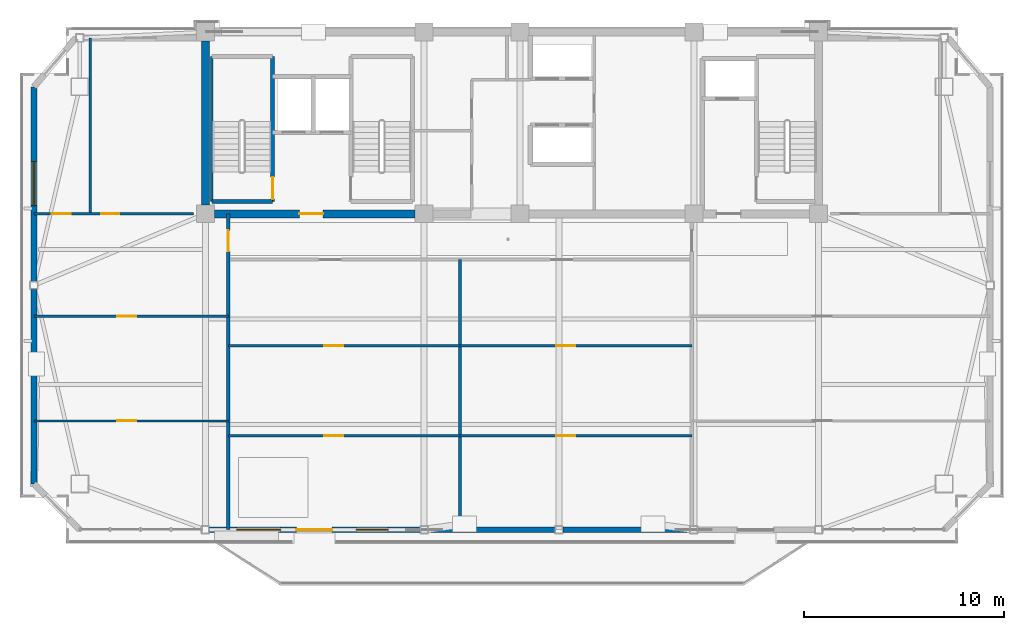
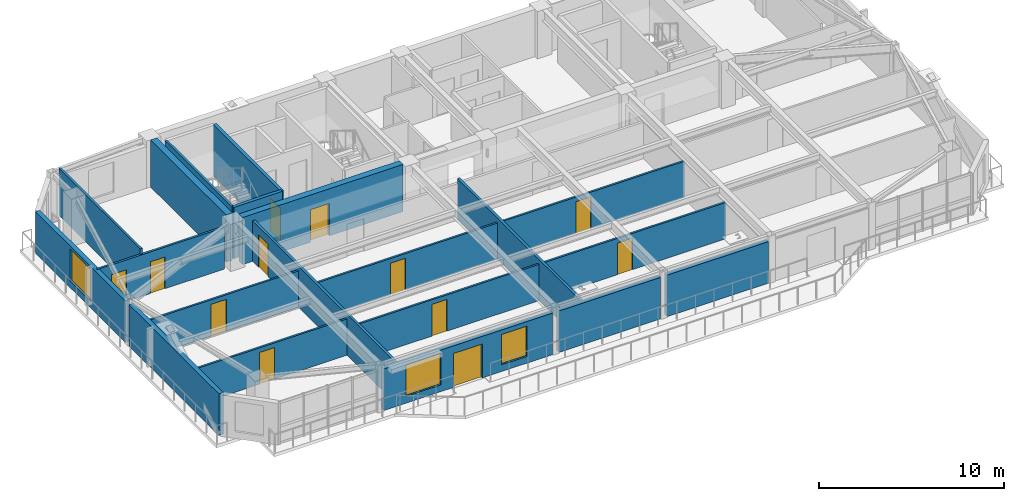
# One storey, part 6 of 13: 20 walls, 12 doors, 3 windows, 15 openings.
"""IFC4 building model written with IfcOpenShell, lengths in metres."""

from ifc_helpers import new_model, si_unit, direction, frame, frame_2d, origin, place, context, subcontext, project, spatial, rectangle, extrude, source, transform, mapped, material, layer, layer_set, type_object, element, fill, save


model = new_model("IFC4")

# Units and contexts
model_context = context("Model", 3, precision=1e-05, world=origin(), true_north=direction((0.0, 1.0)))
body_context = subcontext(model_context, "Body", "Model", "MODEL_VIEW")
ifc_project = project(units=[si_unit("LENGTHUNIT", "METRE"), si_unit("AREAUNIT", "SQUARE_METRE"), si_unit("VOLUMEUNIT", "CUBIC_METRE"), si_unit("PLANEANGLEUNIT", "RADIAN"), si_unit("MASSUNIT", "GRAM", prefix="KILO")], contexts=[model_context])

# Site, building, storey
site_placement = place(None, origin())
site = spatial("IfcSite", under=ifc_project, at=site_placement, CompositionType="ELEMENT")
building_placement = place(site_placement, origin())
building = spatial("IfcBuilding", under=site, at=building_placement, Name="Giltprow Tower", CompositionType="ELEMENT")
storey_placement = place(building_placement, frame((0.0, 0.0, 324.39990234375)))
storey = spatial("IfcBuildingStorey", under=building, at=storey_placement, Name="L84", CompositionType="ELEMENT", Elevation=324.39990234375)

# Wall, openings, windows, door
ifc_material_1 = material(Name="Precast concrete C40", Category="concrete")
ifc_layer_1 = layer(ifc_material_1, 0.280029296875, Name="Precast concrete C40")
ifc_layer_set_1 = layer_set([ifc_layer_1], Name="Precast concrete C40")
wall_type_1 = type_object("IfcWallType", Name="EW-TOW-BRONZE-280", PredefinedType="SOLIDWALL", material=ifc_layer_set_1)
wall_1_placement = place(storey_placement, frame((20.050048828125, 21.635986328125, 0.0), z_axis=(0.0, 0.0, 1.0), x_axis=(1.0, 0.0, 0.0)))
wall_1 = element("IfcWall", 1, at=wall_1_placement, inside=storey, type_object=wall_type_1, Name="L84 South Expressed Frame Wall 2", PredefinedType="SOLIDWALL", context=body_context, shape_type="SweptSolid", body=[
    extrude(rectangle(XDim=10.550048828125, YDim=0.280029296875, at=frame_2d((5.27490234375, 0.0))), origin(), (0.0, 0.0, 1.0), 2.75),
])
opening_1_placement = place(wall_1_placement, frame((4.35009765625, 0.0, 0.0)))
opening_1 = element("IfcOpeningElement", 2, at=opening_1_placement, cuts=wall_1, Name="Opening ED25", PredefinedType="OPENING", context=body_context, shape_type="SweptSolid", body=[
    extrude(rectangle(XDim=1.800048828125, YDim=2.25, at=frame_2d((0.89990234375, 1.125))), frame((0.0, 0.14990234375, 0.0), z_axis=(0.0, -1.0, 0.0), x_axis=(1.0, 0.0, 0.0)), (0.0, 0.0, 1.0), 0.300048828125),
])
opening_2_placement = place(wall_1_placement, frame((1.3701171875, 0.0, 0.449951171875)))
opening_2 = element("IfcOpeningElement", 3, at=opening_2_placement, cuts=wall_1, Name="Opening WN27", PredefinedType="OPENING", context=body_context, shape_type="SweptSolid", body=[
    extrude(rectangle(XDim=2.199951171875, YDim=2.10009765625, at=frame_2d((1.10009765625, 1.050048828125))), frame((0.0, 0.14990234375, 0.0), z_axis=(0.0, -1.0, 0.0), x_axis=(1.0, 0.0, 0.0)), (0.0, 0.0, 1.0), 0.300048828125),
])
opening_3_placement = place(wall_1_placement, frame((7.35009765625, 0.0, 0.449951171875)))
opening_3 = element("IfcOpeningElement", 4, at=opening_3_placement, cuts=wall_1, Name="Opening WN17", PredefinedType="OPENING", context=body_context, shape_type="SweptSolid", body=[
    extrude(rectangle(XDim=1.60009765625, YDim=2.0, at=frame_2d((0.800048828125, 1.0))), frame((0.0, 0.14990234375, 0.0), z_axis=(0.0, -1.0, 0.0), x_axis=(1.0, 0.0, 0.0)), (0.0, 0.0, 1.0), 0.300048828125),
])
ifc_material_2 = material(Name="Insulated glass", Category="glass")
window_type_1 = type_object("IfcWindowType", Name="WN-COR-1600x2000", PartitioningType="SINGLE_PANEL", PredefinedType="WINDOW", material=ifc_material_2)
shared_shape_1 = source(origin(), body_context, "Body", "SweptSolid", [
    extrude(rectangle(XDim=1.60009765625, YDim=2.0, at=frame_2d((0.800048828125, 1.0))), frame((0.0, 0.030029296875, 0.0), z_axis=(0.0, -1.0, 0.0), x_axis=(1.0, 0.0, 0.0)), (0.0, 0.0, 1.0), 0.06005859375),
])
window_1_placement = place(opening_3_placement, origin())
window_1 = element("IfcWindow", 5, at=window_1_placement, inside=storey, type_object=window_type_1, Name="L84 South Window 2B", OverallHeight=2.0, OverallWidth=1.60009765625, PartitioningType="SINGLE_PANEL", PredefinedType="WINDOW", context=body_context, shape_type="MappedRepresentation", body=[
    mapped(shared_shape_1, transform((0.0, 0.0, 0.0), x_axis=(1.0, 0.0, 0.0), y_axis=(0.0, 1.0, 0.0), z_axis=(0.0, 0.0, 1.0), scale=1.0)),
])
fill(opening_3, window_1)
ifc_material_3 = material(Name="Anodized bronze and glass", Category="glass")
door_type_1 = type_object("IfcDoorType", Name="DR-BALC-SLIDE-1800", OperationType="SLIDING_TO_LEFT", PredefinedType="DOOR", material=ifc_material_3)
shared_shape_2 = source(origin(), body_context, "Body", "SweptSolid", [
    extrude(rectangle(XDim=1.800048828125, YDim=2.25, at=frame_2d((0.89990234375, 1.125))), frame((0.0, 0.02490234375, 0.0), z_axis=(0.0, -1.0, 0.0), x_axis=(1.0, 0.0, 0.0)), (0.0, 0.0, 1.0), 0.050048828125),
])
door_1_placement = place(opening_1_placement, origin())
door_1 = element("IfcDoor", 6, at=door_1_placement, inside=storey, type_object=door_type_1, Name="L84 Waterfront Balcony Sliding Door 1", OperationType="SLIDING_TO_LEFT", OverallHeight=2.25, OverallWidth=1.800048828125, PredefinedType="DOOR", context=body_context, shape_type="MappedRepresentation", body=[
    mapped(shared_shape_2, transform((0.0, 0.0, 0.0), x_axis=(1.0, 0.0, 0.0), y_axis=(0.0, 1.0, 0.0), z_axis=(0.0, 0.0, 1.0), scale=1.0)),
])
fill(opening_1, door_1)
window_type_2 = type_object("IfcWindowType", Name="WN-RES-2200x2100", PartitioningType="TRIPLE_PANEL_VERTICAL", PredefinedType="WINDOW", material=ifc_material_2)
shared_shape_3 = source(origin(), body_context, "Body", "SweptSolid", [
    extrude(rectangle(XDim=2.199951171875, YDim=2.10009765625, at=frame_2d((1.10009765625, 1.050048828125))), frame((0.0, 0.030029296875, 0.0), z_axis=(0.0, -1.0, 0.0), x_axis=(1.0, 0.0, 0.0)), (0.0, 0.0, 1.0), 0.06005859375),
])
window_2_placement = place(opening_2_placement, origin())
window_2 = element("IfcWindow", 7, at=window_2_placement, inside=storey, type_object=window_type_2, Name="L84 South Window 2A", OverallHeight=2.10009765625, OverallWidth=2.199951171875, PartitioningType="SINGLE_PANEL", PredefinedType="WINDOW", context=body_context, shape_type="MappedRepresentation", body=[
    mapped(shared_shape_3, transform((0.0, 0.0, 0.0), x_axis=(1.0, 0.0, 0.0), y_axis=(0.0, 1.0, 0.0), z_axis=(0.0, 0.0, 1.0), scale=1.0)),
])
fill(opening_2, window_2)

# Walls
for number, where, z_axis, x_axis, name in (
    (8, (31.0, 21.635986328125, 0.0), (0.0, 0.0, 1.0), (1.0, 0.0, 0.0), "L84 South Expressed Frame Wall 3"),
    (9, (37.75, 21.635986328125, 0.0), (0.0, 0.0, 1.0), (1.0, 0.0, 0.0), "L84 South Expressed Frame Wall 4"),
):
    element("IfcWall", number, at=place(storey_placement, frame(where, z_axis=z_axis, x_axis=x_axis)), inside=storey, type_object=wall_type_1, Name=name, PredefinedType="SOLIDWALL", context=body_context, shape_type="SweptSolid", body=[
        extrude(rectangle(XDim=6.35009765625, YDim=0.280029296875, at=frame_2d((3.175048828125, 0.0))), origin(), (0.0, 0.0, 1.0), 2.75),
    ])
wall_2_placement = place(storey_placement, frame((11.27001953125, 23.927978515625, 0.0), z_axis=(0.0, 0.0, 1.0), x_axis=(0.0, 1.0, 0.0)))
element("IfcWall", 10, at=wall_2_placement, inside=storey, type_object=wall_type_1, Name="L84 W Wing Masonry Wall 1", PredefinedType="SOLIDWALL", context=body_context, shape_type="SweptSolid", body=[
    extrude(rectangle(XDim=9.739990234375, YDim=0.280029296875, at=frame_2d((4.8701171875, 0.0))), origin(), (0.0, 0.0, 1.0), 2.75),
])

# Wall, opening, window
wall_3_placement = place(storey_placement, frame((11.27001953125, 34.068115234375, 0.0), z_axis=(0.0, 0.0, 1.0), x_axis=(0.0, 1.0, 0.0)))
wall_3 = element("IfcWall", 11, at=wall_3_placement, inside=storey, type_object=wall_type_1, Name="L84 W Wing Masonry Wall 2", PredefinedType="SOLIDWALL", context=body_context, shape_type="SweptSolid", body=[
    extrude(rectangle(XDim=9.739990234375, YDim=0.280029296875, at=frame_2d((4.8701171875, 0.0))), origin(), (0.0, 0.0, 1.0), 2.75),
])
opening_4_placement = place(wall_3_placement, frame((3.787109375, 0.0, 0.449951171875)))
opening_4 = element("IfcOpeningElement", 12, at=opening_4_placement, cuts=wall_3, Name="Opening WN27", PredefinedType="OPENING", context=body_context, shape_type="SweptSolid", body=[
    extrude(rectangle(XDim=2.199951171875, YDim=2.10009765625, at=frame_2d((1.10009765625, 1.050048828125))), frame((0.0, 0.14990234375, 0.0), z_axis=(0.0, -1.0, 0.0), x_axis=(1.0, 0.0, 0.0)), (0.0, 0.0, 1.0), 0.300048828125),
])
window_3_placement = place(opening_4_placement, origin())
window_3 = element("IfcWindow", 13, at=window_3_placement, inside=storey, type_object=window_type_2, Name="L84 W Wing Window 2-1", OverallHeight=2.10009765625, OverallWidth=2.199951171875, PartitioningType="SINGLE_PANEL", PredefinedType="WINDOW", context=body_context, shape_type="MappedRepresentation", body=[
    mapped(shared_shape_3, transform((0.0, 0.0, 0.0), x_axis=(1.0, 0.0, 0.0), y_axis=(0.0, 1.0, 0.0), z_axis=(0.0, 0.0, 1.0), scale=1.0)),
])
fill(opening_4, window_3)

# Wall, opening, door
ifc_material_4 = material(Name="Gypsum stud partition", Category="gypsum")
ifc_layer_2 = layer(ifc_material_4, 0.159912109375, Name="Gypsum stud partition")
ifc_layer_set_2 = layer_set([ifc_layer_2], Name="Gypsum stud partition")
wall_type_2 = type_object("IfcWallType", Name="IW-DEMISE-160", PredefinedType="PARTITIONING", material=ifc_layer_set_2)
wall_4_placement = place(storey_placement, frame((21.0, 21.635986328125, 0.0), z_axis=(0.0, 0.0, 1.0), x_axis=(0.0, 1.0, 0.0)))
wall_4 = element("IfcWall", 14, at=wall_4_placement, inside=storey, type_object=wall_type_2, Name="L84 Apartment Party Wall 1", PredefinedType="PARTITIONING", context=body_context, shape_type="SweptSolid", body=[
    extrude(rectangle(XDim=15.81396484375, YDim=0.159912109375, at=frame_2d((7.906982421875, 0.0))), origin(), (0.0, 0.0, 1.0), 2.705078125),
])
opening_5_placement = place(wall_4_placement, frame((13.93408203125, 0.0, 0.0)))
opening_5 = element("IfcOpeningElement", 15, at=opening_5_placement, cuts=wall_4, Name="Opening ID31", PredefinedType="OPENING", context=body_context, shape_type="SweptSolid", body=[
    extrude(rectangle(XDim=1.050048828125, YDim=2.14990234375, at=frame_2d((0.52490234375, 1.074951171875))), frame((0.0, 0.08984375, 0.0), z_axis=(0.0, -1.0, 0.0), x_axis=(1.0, 0.0, 0.0)), (0.0, 0.0, 1.0), 0.179931640625),
])
ifc_material_5 = material(Name="Engineered timber", Category="wood")
door_type_2 = type_object("IfcDoorType", Name="DR-SUITE-1050", OperationType="SINGLE_SWING_LEFT", PredefinedType="DOOR", material=ifc_material_5)
shared_shape_4 = source(origin(), body_context, "Body", "SweptSolid", [
    extrude(rectangle(XDim=1.050048828125, YDim=2.14990234375, at=frame_2d((0.52490234375, 1.074951171875))), frame((0.0, 0.02490234375, 0.0), z_axis=(0.0, -1.0, 0.0), x_axis=(1.0, 0.0, 0.0)), (0.0, 0.0, 1.0), 0.050048828125),
])
door_2_placement = place(opening_5_placement, origin())
door_2 = element("IfcDoor", 16, at=door_2_placement, inside=storey, type_object=door_type_2, Name="L84 Sky Concierge Reception 1 Corridor End Door", OperationType="SINGLE_SWING_LEFT", OverallHeight=2.14990234375, OverallWidth=1.050048828125, PredefinedType="DOOR", context=body_context, shape_type="MappedRepresentation", body=[
    mapped(shared_shape_4, transform((0.0, 0.0, 0.0), x_axis=(1.0, 0.0, 0.0), y_axis=(0.0, 1.0, 0.0), z_axis=(0.0, 0.0, 1.0), scale=1.0)),
])
fill(opening_5, door_2)

# Wall
wall_5_placement = place(storey_placement, frame((32.60009765625, 21.635986328125, 0.0), z_axis=(0.0, 0.0, 1.0), x_axis=(0.0, 1.0, 0.0)))
element("IfcWall", 17, at=wall_5_placement, inside=storey, type_object=wall_type_2, Name="L84 Apartment Party Wall 2", PredefinedType="PARTITIONING", context=body_context, shape_type="SweptSolid", body=[
    extrude(rectangle(XDim=13.513916015625, YDim=0.159912109375, at=frame_2d((6.7568359375, 0.0))), origin(), (0.0, 0.0, 1.0), 2.705078125),
])

# Wall, opening, door
ifc_layer_3 = layer(ifc_material_4, 0.1201171875, Name="Gypsum stud partition")
ifc_layer_set_3 = layer_set([ifc_layer_3], Name="Gypsum stud partition")
wall_type_3 = type_object("IfcWallType", Name="IW-ROOM-120", PredefinedType="PARTITIONING", material=ifc_layer_set_3)
wall_6_placement = place(storey_placement, frame((11.27001953125, 27.076904296875, 0.0), z_axis=(0.0, 0.0, 1.0), x_axis=(1.0, 0.0, 0.0)))
wall_6 = element("IfcWall", 18, at=wall_6_placement, inside=storey, type_object=wall_type_3, Name="L84 Special Split 1", PredefinedType="PARTITIONING", context=body_context, shape_type="SweptSolid", body=[
    extrude(rectangle(XDim=9.72998046875, YDim=0.1201171875, at=frame_2d((4.864990234375, 0.0))), origin(), (0.0, 0.0, 1.0), 2.405029296875),
])
opening_6_placement = place(wall_6_placement, frame((4.177978515625, 0.0, 0.0)))
opening_6 = element("IfcOpeningElement", 19, at=opening_6_placement, cuts=wall_6, Name="Opening ID11", PredefinedType="OPENING", context=body_context, shape_type="SweptSolid", body=[
    extrude(rectangle(XDim=0.949951171875, YDim=2.10009765625, at=frame_2d((0.47509765625, 1.050048828125))), frame((0.0, 0.070068359375, 0.0), z_axis=(0.0, -1.0, 0.0), x_axis=(1.0, 0.0, 0.0)), (0.0, 0.0, 1.0), 0.14013671875),
])
door_type_3 = type_object("IfcDoorType", Name="DR-ROOM-950", OperationType="SINGLE_SWING_RIGHT", PredefinedType="DOOR", material=ifc_material_5)
shared_shape_5 = source(origin(), body_context, "Body", "SweptSolid", [
    extrude(rectangle(XDim=0.949951171875, YDim=2.10009765625, at=frame_2d((0.47509765625, 1.050048828125))), frame((0.0, 0.02490234375, 0.0), z_axis=(0.0, -1.0, 0.0), x_axis=(1.0, 0.0, 0.0)), (0.0, 0.0, 1.0), 0.050048828125),
])
door_3_placement = place(opening_6_placement, origin())
door_3 = element("IfcDoor", 20, at=door_3_placement, inside=storey, type_object=door_type_3, Name="L84 Sky Concierge Reception 1 South Door", OperationType="SINGLE_SWING_RIGHT", OverallHeight=2.10009765625, OverallWidth=0.949951171875, PredefinedType="DOOR", context=body_context, shape_type="MappedRepresentation", body=[
    mapped(shared_shape_5, transform((0.0, 0.0, 0.0), x_axis=(1.0, 0.0, 0.0), y_axis=(0.0, 1.0, 0.0), z_axis=(0.0, 0.0, 1.0), scale=1.0)),
])
fill(opening_6, door_3)

wall_7_placement = place(storey_placement, frame((11.27001953125, 32.318115234375, 0.0), z_axis=(0.0, 0.0, 1.0), x_axis=(1.0, 0.0, 0.0)))
wall_7 = element("IfcWall", 21, at=wall_7_placement, inside=storey, type_object=wall_type_3, Name="L84 Special Split 2", PredefinedType="PARTITIONING", context=body_context, shape_type="SweptSolid", body=[
    extrude(rectangle(XDim=9.72998046875, YDim=0.1201171875, at=frame_2d((4.864990234375, 0.0))), origin(), (0.0, 0.0, 1.0), 2.405029296875),
])
opening_7_placement = place(wall_7_placement, frame((4.177978515625, 0.0, 0.0)))
opening_7 = element("IfcOpeningElement", 22, at=opening_7_placement, cuts=wall_7, Name="Opening ID11", PredefinedType="OPENING", context=body_context, shape_type="SweptSolid", body=[
    extrude(rectangle(XDim=0.949951171875, YDim=2.10009765625, at=frame_2d((0.47509765625, 1.050048828125))), frame((0.0, 0.070068359375, 0.0), z_axis=(0.0, -1.0, 0.0), x_axis=(1.0, 0.0, 0.0)), (0.0, 0.0, 1.0), 0.14013671875),
])
door_4_placement = place(opening_7_placement, origin())
door_4 = element("IfcDoor", 23, at=door_4_placement, inside=storey, type_object=door_type_3, Name="L84 Sky Concierge Reception 1 Mid Door", OperationType="SINGLE_SWING_LEFT", OverallHeight=2.10009765625, OverallWidth=0.949951171875, PredefinedType="DOOR", context=body_context, shape_type="MappedRepresentation", body=[
    mapped(shared_shape_5, transform((0.0, 0.0, 0.0), x_axis=(1.0, 0.0, 0.0), y_axis=(0.0, 1.0, 0.0), z_axis=(0.0, 0.0, 1.0), scale=1.0)),
])
fill(opening_7, door_4)

wall_8_placement = place(storey_placement, frame((21.0, 26.3359375, 0.0), z_axis=(0.0, 0.0, 1.0), x_axis=(1.0, 0.0, 0.0)))
wall_8 = element("IfcWall", 24, at=wall_8_placement, inside=storey, type_object=wall_type_3, Name="L84 Special Split 1", PredefinedType="PARTITIONING", context=body_context, shape_type="SweptSolid", body=[
    extrude(rectangle(XDim=11.60009765625, YDim=0.1201171875, at=frame_2d((5.800048828125, 0.0))), origin(), (0.0, 0.0, 1.0), 2.405029296875),
])
opening_8_placement = place(wall_8_placement, frame((4.805908203125, 0.0, 0.0)))
opening_8 = element("IfcOpeningElement", 25, at=opening_8_placement, cuts=wall_8, Name="Opening ID11", PredefinedType="OPENING", context=body_context, shape_type="SweptSolid", body=[
    extrude(rectangle(XDim=0.949951171875, YDim=2.10009765625, at=frame_2d((0.47509765625, 1.050048828125))), frame((0.0, 0.070068359375, 0.0), z_axis=(0.0, -1.0, 0.0), x_axis=(1.0, 0.0, 0.0)), (0.0, 0.0, 1.0), 0.14013671875),
])
door_5_placement = place(opening_8_placement, origin())
door_5 = element("IfcDoor", 26, at=door_5_placement, inside=storey, type_object=door_type_3, Name="L84 Residents Sky Club Lounge South Door", OperationType="SINGLE_SWING_LEFT", OverallHeight=2.10009765625, OverallWidth=0.949951171875, PredefinedType="DOOR", context=body_context, shape_type="MappedRepresentation", body=[
    mapped(shared_shape_5, transform((0.0, 0.0, 0.0), x_axis=(1.0, 0.0, 0.0), y_axis=(0.0, 1.0, 0.0), z_axis=(0.0, 0.0, 1.0), scale=1.0)),
])
fill(opening_8, door_5)

wall_9_placement = place(storey_placement, frame((21.0, 30.8349609375, 0.0), z_axis=(0.0, 0.0, 1.0), x_axis=(1.0, 0.0, 0.0)))
wall_9 = element("IfcWall", 27, at=wall_9_placement, inside=storey, type_object=wall_type_3, Name="L84 Special Split 2", PredefinedType="PARTITIONING", context=body_context, shape_type="SweptSolid", body=[
    extrude(rectangle(XDim=11.60009765625, YDim=0.1201171875, at=frame_2d((5.800048828125, 0.0))), origin(), (0.0, 0.0, 1.0), 2.405029296875),
])
opening_9_placement = place(wall_9_placement, frame((4.805908203125, 0.0, 0.0)))
opening_9 = element("IfcOpeningElement", 28, at=opening_9_placement, cuts=wall_9, Name="Opening ID11", PredefinedType="OPENING", context=body_context, shape_type="SweptSolid", body=[
    extrude(rectangle(XDim=0.949951171875, YDim=2.10009765625, at=frame_2d((0.47509765625, 1.050048828125))), frame((0.0, 0.070068359375, 0.0), z_axis=(0.0, -1.0, 0.0), x_axis=(1.0, 0.0, 0.0)), (0.0, 0.0, 1.0), 0.14013671875),
])
door_6_placement = place(opening_9_placement, origin())
door_6 = element("IfcDoor", 29, at=door_6_placement, inside=storey, type_object=door_type_3, Name="L84 Residents Sky Club Lounge Mid Door", OperationType="SINGLE_SWING_RIGHT", OverallHeight=2.10009765625, OverallWidth=0.949951171875, PredefinedType="DOOR", context=body_context, shape_type="MappedRepresentation", body=[
    mapped(shared_shape_5, transform((0.0, 0.0, 0.0), x_axis=(1.0, 0.0, 0.0), y_axis=(0.0, 1.0, 0.0), z_axis=(0.0, 0.0, 1.0), scale=1.0)),
])
fill(opening_9, door_6)

wall_10_placement = place(storey_placement, frame((32.60009765625, 26.3359375, 0.0), z_axis=(0.0, 0.0, 1.0), x_axis=(1.0, 0.0, 0.0)))
wall_10 = element("IfcWall", 30, at=wall_10_placement, inside=storey, type_object=wall_type_3, Name="L84 Special Split 1", PredefinedType="PARTITIONING", context=body_context, shape_type="SweptSolid", body=[
    extrude(rectangle(XDim=11.599853515625, YDim=0.1201171875, at=frame_2d((5.7998046875, 0.0))), origin(), (0.0, 0.0, 1.0), 2.405029296875),
])
opening_10_placement = place(wall_10_placement, frame((4.805908203125, 0.0, 0.0)))
opening_10 = element("IfcOpeningElement", 31, at=opening_10_placement, cuts=wall_10, Name="Opening ID11", PredefinedType="OPENING", context=body_context, shape_type="SweptSolid", body=[
    extrude(rectangle(XDim=0.949951171875, YDim=2.10009765625, at=frame_2d((0.47509765625, 1.050048828125))), frame((0.0, 0.070068359375, 0.0), z_axis=(0.0, -1.0, 0.0), x_axis=(1.0, 0.0, 0.0)), (0.0, 0.0, 1.0), 0.14013671875),
])
door_7_placement = place(opening_10_placement, origin())
door_7 = element("IfcDoor", 32, at=door_7_placement, inside=storey, type_object=door_type_3, Name="L84 Residents Sky Club Lounge South Door", OperationType="SINGLE_SWING_RIGHT", OverallHeight=2.10009765625, OverallWidth=0.949951171875, PredefinedType="DOOR", context=body_context, shape_type="MappedRepresentation", body=[
    mapped(shared_shape_5, transform((0.0, 0.0, 0.0), x_axis=(1.0, 0.0, 0.0), y_axis=(0.0, 1.0, 0.0), z_axis=(0.0, 0.0, 1.0), scale=1.0)),
])
fill(opening_10, door_7)

wall_11_placement = place(storey_placement, frame((32.60009765625, 30.8349609375, 0.0), z_axis=(0.0, 0.0, 1.0), x_axis=(1.0, 0.0, 0.0)))
wall_11 = element("IfcWall", 33, at=wall_11_placement, inside=storey, type_object=wall_type_3, Name="L84 Special Split 2", PredefinedType="PARTITIONING", context=body_context, shape_type="SweptSolid", body=[
    extrude(rectangle(XDim=11.599853515625, YDim=0.1201171875, at=frame_2d((5.7998046875, 0.0))), origin(), (0.0, 0.0, 1.0), 2.405029296875),
])
opening_11_placement = place(wall_11_placement, frame((4.805908203125, 0.0, 0.0)))
opening_11 = element("IfcOpeningElement", 34, at=opening_11_placement, cuts=wall_11, Name="Opening ID11", PredefinedType="OPENING", context=body_context, shape_type="SweptSolid", body=[
    extrude(rectangle(XDim=0.949951171875, YDim=2.10009765625, at=frame_2d((0.47509765625, 1.050048828125))), frame((0.0, 0.070068359375, 0.0), z_axis=(0.0, -1.0, 0.0), x_axis=(1.0, 0.0, 0.0)), (0.0, 0.0, 1.0), 0.14013671875),
])
door_8_placement = place(opening_11_placement, origin())
door_8 = element("IfcDoor", 35, at=door_8_placement, inside=storey, type_object=door_type_3, Name="L84 Residents Sky Club Lounge Mid Door", OperationType="SINGLE_SWING_LEFT", OverallHeight=2.10009765625, OverallWidth=0.949951171875, PredefinedType="DOOR", context=body_context, shape_type="MappedRepresentation", body=[
    mapped(shared_shape_5, transform((0.0, 0.0, 0.0), x_axis=(1.0, 0.0, 0.0), y_axis=(0.0, 1.0, 0.0), z_axis=(0.0, 0.0, 1.0), scale=1.0)),
])
fill(opening_11, door_8)

# Wall
ifc_material_6 = material(Name="Concrete C45", Category="concrete")
ifc_layer_4 = layer(ifc_material_6, 0.139892578125, Name="Concrete C45")
ifc_layer_set_4 = layer_set([ifc_layer_4], Name="Concrete C45")
wall_type_4 = type_object("IfcWallType", Name="IW-STAIR-140", PredefinedType="SOLIDWALL", material=ifc_layer_set_4)
wall_12_placement = place(storey_placement, frame((20.169921875, 38.070068359375, 0.0), z_axis=(0.0, 0.0, 1.0), x_axis=(0.0, 1.0, 0.0)))
element("IfcWall", 36, at=wall_12_placement, inside=storey, type_object=wall_type_4, Name="L84 Stair ST-1 West Bearing Wall", PredefinedType="SOLIDWALL", context=body_context, shape_type="SweptSolid", body=[
    extrude(rectangle(XDim=7.25, YDim=0.139892578125, at=frame_2d((3.625, 0.0))), origin(), (0.0, 0.0, 1.0), 3.400146484375),
])

# Wall, opening, door
ifc_material_7 = material(Name="Concrete C40", Category="concrete")
ifc_layer_5 = layer(ifc_material_7, 0.199951171875, Name="Concrete C40")
ifc_layer_set_5 = layer_set([ifc_layer_5], Name="Concrete C40")
wall_type_5 = type_object("IfcWallType", Name="IW-STAIR-200", PredefinedType="SOLIDWALL", material=ifc_layer_set_5)
wall_13_placement = place(storey_placement, frame((23.219970703125, 38.070068359375, 0.0), z_axis=(0.0, 0.0, 1.0), x_axis=(0.0, 1.0, 0.0)))
wall_13 = element("IfcWall", 37, at=wall_13_placement, inside=storey, type_object=wall_type_5, Name="L84 Stair ST-1 East Bearing Wall", PredefinedType="SOLIDWALL", context=body_context, shape_type="SweptSolid", body=[
    extrude(rectangle(XDim=7.25, YDim=0.199951171875, at=frame_2d((3.625, 0.0))), origin(), (0.0, 0.0, 1.0), 3.400146484375),
])
opening_12_placement = place(wall_13_placement, frame((0.110107421875, 0.0, 0.0)))
opening_12 = element("IfcOpeningElement", 38, at=opening_12_placement, cuts=wall_13, Name="Opening ID33", PredefinedType="OPENING", context=body_context, shape_type="SweptSolid", body=[
    extrude(rectangle(XDim=1.10009765625, YDim=2.14990234375, at=frame_2d((0.550048828125, 1.074951171875))), frame((0.0, 0.10986328125, 0.0), z_axis=(0.0, -1.0, 0.0), x_axis=(1.0, 0.0, 0.0)), (0.0, 0.0, 1.0), 0.219970703125),
])
ifc_material_8 = material(Name="Steel fire leaf", Category="steel")
door_type_4 = type_object("IfcDoorType", Name="DR-STAIR-1100", OperationType="SINGLE_SWING_LEFT", PredefinedType="DOOR", material=ifc_material_8)
shared_shape_6 = source(origin(), body_context, "Body", "SweptSolid", [
    extrude(rectangle(XDim=1.10009765625, YDim=2.14990234375, at=frame_2d((0.550048828125, 1.074951171875))), frame((0.0, 0.02490234375, 0.0), z_axis=(0.0, -1.0, 0.0), x_axis=(1.0, 0.0, 0.0)), (0.0, 0.0, 1.0), 0.050048828125),
])
door_9_placement = place(opening_12_placement, origin())
door_9 = element("IfcDoor", 39, at=door_9_placement, inside=storey, type_object=door_type_4, Name="L84 Stair ST-1 Fire Door", OperationType="SINGLE_SWING_RIGHT", OverallHeight=2.14990234375, OverallWidth=1.10009765625, PredefinedType="DOOR", context=body_context, shape_type="MappedRepresentation", body=[
    mapped(shared_shape_6, transform((0.0, 0.0, 0.0), x_axis=(1.0, 0.0, 0.0), y_axis=(0.0, 1.0, 0.0), z_axis=(0.0, 0.0, 1.0), scale=1.0)),
])
fill(opening_12, door_9)

# Wall
wall_14_placement = place(storey_placement, frame((20.169921875, 38.070068359375, 0.0), z_axis=(0.0, 0.0, 1.0), x_axis=(1.0, 0.0, 0.0)))
element("IfcWall", 40, at=wall_14_placement, inside=storey, type_object=wall_type_5, Name="L84 Stair ST-1 South Bearing Wall", PredefinedType="SOLIDWALL", context=body_context, shape_type="SweptSolid", body=[
    extrude(rectangle(XDim=3.050048828125, YDim=0.199951171875, at=frame_2d((1.52490234375, 0.0))), origin(), (0.0, 0.0, 1.0), 3.400146484375),
])

# Wall, openings, doors
ifc_material_9 = material(Name="Concrete C30", Category="concrete")
ifc_layer_6 = layer(ifc_material_9, 0.1298828125, Name="Concrete C30")
ifc_layer_set_6 = layer_set([ifc_layer_6], Name="Concrete C30")
wall_type_6 = type_object("IfcWallType", Name="IW-WET-130", PredefinedType="PARTITIONING", material=ifc_layer_set_6)
wall_15_placement = place(storey_placement, frame((11.27001953125, 37.449951171875, 0.0), z_axis=(0.0, 0.0, 1.0), x_axis=(1.0, 0.0, 0.0)))
wall_15 = element("IfcWall", 41, at=wall_15_placement, inside=storey, type_object=wall_type_6, Name="L84 NW Wing South Wall", PredefinedType="PARTITIONING", context=body_context, shape_type="SweptSolid", body=[
    extrude(rectangle(XDim=7.97998046875, YDim=0.1298828125, at=frame_2d((3.989990234375, 0.0))), origin(), (0.0, 0.0, 1.0), 2.755126953125),
])
opening_13_placement = place(wall_15_placement, frame((0.89990234375, 0.0, 0.0)))
opening_13 = element("IfcOpeningElement", 42, at=opening_13_placement, cuts=wall_15, Name="Opening ID11", PredefinedType="OPENING", context=body_context, shape_type="SweptSolid", body=[
    extrude(rectangle(XDim=0.949951171875, YDim=2.10009765625, at=frame_2d((0.47509765625, 1.050048828125))), frame((0.0, 0.074951171875, 0.0), z_axis=(0.0, -1.0, 0.0), x_axis=(1.0, 0.0, 0.0)), (0.0, 0.0, 1.0), 0.14990234375),
])
opening_14_placement = place(wall_15_placement, frame((3.361083984375, 0.0, 0.0)))
opening_14 = element("IfcOpeningElement", 43, at=opening_14_placement, cuts=wall_15, Name="Opening ID15", PredefinedType="OPENING", context=body_context, shape_type="SweptSolid", body=[
    extrude(rectangle(XDim=0.89990234375, YDim=2.10009765625, at=frame_2d((0.449951171875, 1.050048828125))), frame((0.0, 0.074951171875, 0.0), z_axis=(0.0, -1.0, 0.0), x_axis=(1.0, 0.0, 0.0)), (0.0, 0.0, 1.0), 0.14990234375),
])
door_type_5 = type_object("IfcDoorType", Name="DR-WC-900", OperationType="SINGLE_SWING_LEFT", PredefinedType="DOOR", material=ifc_material_5)
shared_shape_7 = source(origin(), body_context, "Body", "SweptSolid", [
    extrude(rectangle(XDim=0.89990234375, YDim=2.10009765625, at=frame_2d((0.449951171875, 1.050048828125))), frame((0.0, 0.02490234375, 0.0), z_axis=(0.0, -1.0, 0.0), x_axis=(1.0, 0.0, 0.0)), (0.0, 0.0, 1.0), 0.050048828125),
])
door_10_placement = place(opening_14_placement, origin())
door_10 = element("IfcDoor", 44, at=door_10_placement, inside=storey, type_object=door_type_5, Name="L84 NW Washroom Door", OperationType="SINGLE_SWING_LEFT", OverallHeight=2.10009765625, OverallWidth=0.89990234375, PredefinedType="DOOR", context=body_context, shape_type="MappedRepresentation", body=[
    mapped(shared_shape_7, transform((0.0, 0.0, 0.0), x_axis=(1.0, 0.0, 0.0), y_axis=(0.0, 1.0, 0.0), z_axis=(0.0, 0.0, 1.0), scale=1.0)),
])
fill(opening_14, door_10)
door_11_placement = place(opening_13_placement, origin())
door_11 = element("IfcDoor", 45, at=door_11_placement, inside=storey, type_object=door_type_3, Name="L84 Residents Study Office West Door", OperationType="SINGLE_SWING_RIGHT", OverallHeight=2.10009765625, OverallWidth=0.949951171875, PredefinedType="DOOR", context=body_context, shape_type="MappedRepresentation", body=[
    mapped(shared_shape_5, transform((0.0, 0.0, 0.0), x_axis=(1.0, 0.0, 0.0), y_axis=(0.0, 1.0, 0.0), z_axis=(0.0, 0.0, 1.0), scale=1.0)),
])
fill(opening_13, door_11)

# Wall
wall_16_placement = place(storey_placement, frame((14.0810546875, 37.449951171875, 0.0), z_axis=(0.0, 0.0, 1.0), x_axis=(0.0, 1.0, 0.0)))
element("IfcWall", 46, at=wall_16_placement, inside=storey, type_object=wall_type_6, Name="L84 NW Wing Divider", PredefinedType="PARTITIONING", context=body_context, shape_type="SweptSolid", body=[
    extrude(rectangle(XDim=8.800048828125, YDim=0.1298828125, at=frame_2d((4.39990234375, 0.0))), origin(), (0.0, 0.0, 1.0), 3.1201171875),
])

# Wall, opening, door
ifc_layer_7 = layer(ifc_material_6, 0.39990234375, Name="Concrete C45")
ifc_layer_set_7 = layer_set([ifc_layer_7], Name="Concrete C45")
wall_type_7 = type_object("IfcWallType", Name="SW-INT-400-C45", PredefinedType="SHEAR", material=ifc_layer_set_7)
wall_17_placement = place(storey_placement, frame((20.300048828125, 37.449951171875, 0.0), z_axis=(0.0, 0.0, 1.0), x_axis=(1.0, 0.0, 0.0)))
wall_17 = element("IfcWall", 47, at=wall_17_placement, inside=storey, type_object=wall_type_7, Name="L84 South Rear Core Shear Wall West", PredefinedType="SHEAR", context=body_context, shape_type="SweptSolid", body=[
    extrude(rectangle(XDim=10.050048828125, YDim=0.39990234375, at=frame_2d((5.02490234375, 0.0))), origin(), (0.0, 0.0, 1.0), 3.1201171875),
])
opening_15_placement = place(wall_17_placement, frame((4.25, 0.0, 0.0)))
opening_15 = element("IfcOpeningElement", 48, at=opening_15_placement, cuts=wall_17, Name="Opening ID19", PredefinedType="OPENING", context=body_context, shape_type="SweptSolid", body=[
    extrude(rectangle(XDim=1.199951171875, YDim=2.14990234375, at=frame_2d((0.60009765625, 1.074951171875))), frame((0.0, 0.2099609375, 0.0), z_axis=(0.0, -1.0, 0.0), x_axis=(1.0, 0.0, 0.0)), (0.0, 0.0, 1.0), 0.419921875),
])
door_type_6 = type_object("IfcDoorType", Name="DR-FFLOBBY-1200", OperationType="SINGLE_SWING_RIGHT", PredefinedType="DOOR", material=ifc_material_8)
shared_shape_8 = source(origin(), body_context, "Body", "SweptSolid", [
    extrude(rectangle(XDim=1.199951171875, YDim=2.14990234375, at=frame_2d((0.60009765625, 1.074951171875))), frame((0.0, 0.02490234375, 0.0), z_axis=(0.0, -1.0, 0.0), x_axis=(1.0, 0.0, 0.0)), (0.0, 0.0, 1.0), 0.050048828125),
])
door_12_placement = place(opening_15_placement, origin())
door_12 = element("IfcDoor", 49, at=door_12_placement, inside=storey, type_object=door_type_6, Name="L84 West Firefighting Lobby Entry Door", OperationType="SINGLE_SWING_LEFT", OverallHeight=2.14990234375, OverallWidth=1.199951171875, PredefinedType="DOOR", context=body_context, shape_type="MappedRepresentation", body=[
    mapped(shared_shape_8, transform((0.0, 0.0, 0.0), x_axis=(1.0, 0.0, 0.0), y_axis=(0.0, 1.0, 0.0), z_axis=(0.0, 0.0, 1.0), scale=1.0)),
])
fill(opening_15, door_12)

# Wall
wall_18_placement = place(storey_placement, frame((19.85009765625, 37.89990234375, 0.0), z_axis=(0.0, 0.0, 1.0), x_axis=(0.0, 1.0, 0.0)))
element("IfcWall", 50, at=wall_18_placement, inside=storey, type_object=wall_type_7, Name="L84 W Rear Core Shear Wall", PredefinedType="SHEAR", context=body_context, shape_type="SweptSolid", body=[
    extrude(rectangle(XDim=8.2001953125, YDim=0.39990234375, at=frame_2d((4.10009765625, 0.0))), origin(), (0.0, 0.0, 1.0), 3.1201171875),
])

save(model, "model.ifc")
